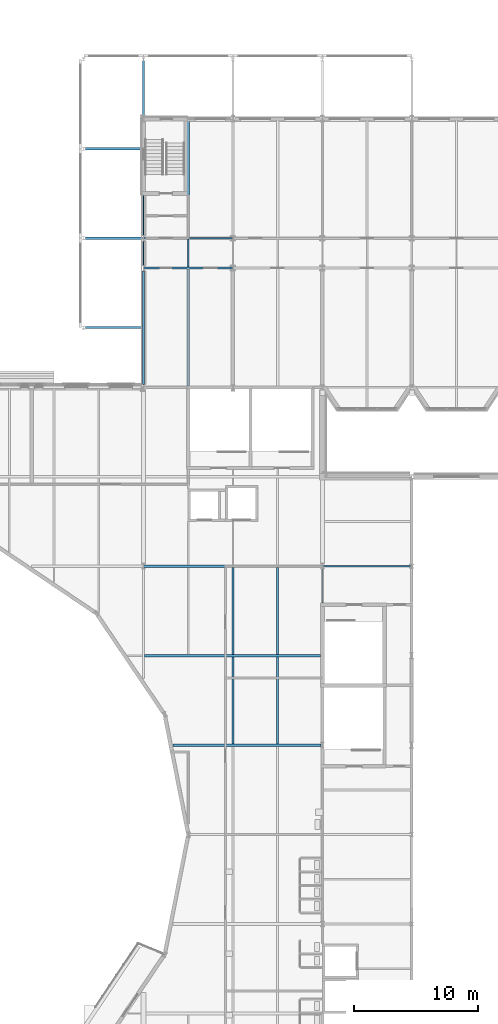
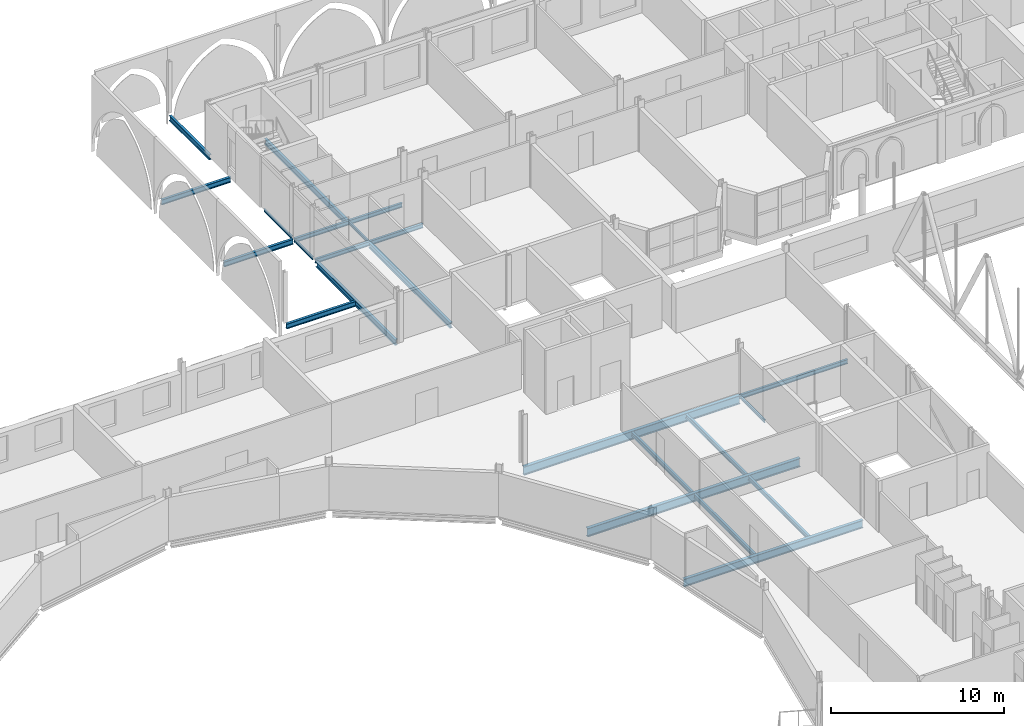
# One storey, part 43 of 142: 21 beams.
"""IFC4 building model written with IfcOpenShell, lengths in metres."""

from ifc_helpers import new_model, si_unit, direction, frame, origin, origin_2d, place, context, subcontext, project, spatial, i_section, extrude, material, material_profile, profile_set, type_object, element, save


model = new_model("IFC4")

# Units and contexts
model_context = context("Model", 3, precision=1e-05, world=origin(), true_north=direction((0.0, 1.0)))
body_context = subcontext(model_context, "Body", "Model", "MODEL_VIEW")
ifc_project = project(units=[si_unit("LENGTHUNIT", "METRE"), si_unit("AREAUNIT", "SQUARE_METRE"), si_unit("VOLUMEUNIT", "CUBIC_METRE"), si_unit("PLANEANGLEUNIT", "RADIAN"), si_unit("MASSUNIT", "GRAM", prefix="KILO")], contexts=[model_context])

# Site, building, storey
site_placement = place(None, origin())
site = spatial("IfcSite", under=ifc_project, at=site_placement, CompositionType="ELEMENT")
building_placement = place(site_placement, origin())
building = spatial("IfcBuilding", under=site, at=building_placement, Name="Kupolbacken Congress Centre", CompositionType="ELEMENT")
storey_placement = place(building_placement, frame((0.0, 0.0, 14.39990234375)))
storey = spatial("IfcBuildingStorey", under=building, at=storey_placement, Name="L04", CompositionType="ELEMENT", Elevation=14.39990234375)

# Beams
ifc_material_1 = material(Name="Steel S355", Category="steel")
ifc_material_profile_1 = material_profile(ifc_material_1, i_section(OverallWidth=0.10009765625, OverallDepth=0.199951171875, WebThickness=0.005615234375, FlangeThickness=0.008544921875, FilletRadius=0.011962890625, at=origin_2d()), Name="IPE 200")
ifc_profile_set_1 = profile_set([ifc_material_profile_1], Name="Steel S355")
beam_type_1 = type_object("IfcBeamType", Name="B01 beam IPE 200", PredefinedType="BEAM", material=ifc_profile_set_1)
beam_1_placement = place(storey_placement, frame((79.199951171875, 105.050048828125, -0.27978515625), z_axis=(0.0, 1.0, 0.0), x_axis=(-1.0, 0.0, 0.0)))
element("IfcBeam", 1, at=beam_1_placement, inside=storey, type_object=beam_type_1, Name="S/floor/P/L04/G036", PredefinedType="BEAM", context=body_context, shape_type="SweptSolid", body=[
    extrude(i_section(OverallWidth=0.10009765625, OverallDepth=0.199951171875, WebThickness=0.005615234375, FlangeThickness=0.008544921875, FilletRadius=0.011962890625, at=origin_2d()), origin(), (0.0, 0.0, 1.0), 2.724853515625),
])
beam_2_placement = place(storey_placement, frame((64.800048828125, 132.22509765625, -0.239990234375), z_axis=(0.0, 1.0, 0.0), x_axis=(-1.0, 0.0, 0.0)))
element("IfcBeam", 2, at=beam_2_placement, inside=storey, type_object=beam_type_1, Name="S/floor/T/L04/S032", PredefinedType="BEAM", context=body_context, shape_type="SweptSolid", body=[
    extrude(i_section(OverallWidth=0.10009765625, OverallDepth=0.199951171875, WebThickness=0.005615234375, FlangeThickness=0.008544921875, FilletRadius=0.011962890625, at=origin_2d()), origin(), (0.0, 0.0, 1.0), 1.949951171875),
])
beam_3_placement = place(storey_placement, frame((64.800048828125, 134.625, -0.239990234375), z_axis=(0.0, 1.0, 0.0), x_axis=(-1.0, 0.0, 0.0)))
element("IfcBeam", 3, at=beam_3_placement, inside=storey, type_object=beam_type_1, Name="S/floor/T/L04/S033", PredefinedType="BEAM", context=body_context, shape_type="SweptSolid", body=[
    extrude(i_section(OverallWidth=0.10009765625, OverallDepth=0.199951171875, WebThickness=0.005615234375, FlangeThickness=0.008544921875, FilletRadius=0.011962890625, at=origin_2d()), origin(), (0.0, 0.0, 1.0), 3.22509765625),
])
beam_4_placement = place(storey_placement, frame((68.39990234375, 132.074951171875, -0.239990234375), z_axis=(0.0, 1.0, 0.0), x_axis=(-1.0, 0.0, 0.0)))
element("IfcBeam", 4, at=beam_4_placement, inside=storey, type_object=beam_type_1, Name="S/floor/T/L04/S035", PredefinedType="BEAM", context=body_context, shape_type="SweptSolid", body=[
    extrude(i_section(OverallWidth=0.10009765625, OverallDepth=0.199951171875, WebThickness=0.005615234375, FlangeThickness=0.008544921875, FilletRadius=0.011962890625, at=origin_2d()), origin(), (0.0, 0.0, 1.0), 2.25),
])
ifc_material_2 = material(Name="Steel S355", Category="steel")
ifc_material_profile_2 = material_profile(ifc_material_2, i_section(OverallWidth=0.14990234375, OverallDepth=0.300048828125, WebThickness=0.007080078125, FlangeThickness=0.0107421875, FilletRadius=0.014892578125, at=origin_2d()), Name="IPE 300")
ifc_profile_set_2 = profile_set([ifc_material_profile_2], Name="Steel S355")
beam_type_2 = type_object("IfcBeamType", Name="B04 beam IPE 300", PredefinedType="BEAM", material=ifc_profile_set_2)
beam_5_placement = place(storey_placement, frame((72.0, 93.705078125, -0.329833984375), z_axis=(0.0, 1.0, 0.0), x_axis=(-1.0, 0.0, 0.0)))
element("IfcBeam", 5, at=beam_5_placement, inside=storey, type_object=beam_type_2, Name="S/floor/P/L04/S146", PredefinedType="BEAM", context=body_context, shape_type="SweptSolid", body=[
    extrude(i_section(OverallWidth=0.14990234375, OverallDepth=0.300048828125, WebThickness=0.007080078125, FlangeThickness=0.0107421875, FilletRadius=0.014892578125, at=origin_2d()), origin(), (0.0, 0.0, 1.0), 6.98486328125),
])
beam_6_placement = place(storey_placement, frame((72.0, 100.909912109375, -0.329833984375), z_axis=(0.0, 1.0, 0.0), x_axis=(-1.0, 0.0, 0.0)))
element("IfcBeam", 6, at=beam_6_placement, inside=storey, type_object=beam_type_2, Name="S/floor/P/L04/S147", PredefinedType="BEAM", context=body_context, shape_type="SweptSolid", body=[
    extrude(i_section(OverallWidth=0.14990234375, OverallDepth=0.300048828125, WebThickness=0.007080078125, FlangeThickness=0.0107421875, FilletRadius=0.014892578125, at=origin_2d()), origin(), (0.0, 0.0, 1.0), 6.97998046875),
])
beam_7_placement = place(storey_placement, frame((75.60009765625, 93.705078125, -0.329833984375), z_axis=(0.0, 1.0, 0.0), x_axis=(-1.0, 0.0, 0.0)))
element("IfcBeam", 7, at=beam_7_placement, inside=storey, type_object=beam_type_2, Name="S/floor/P/L04/S157", PredefinedType="BEAM", context=body_context, shape_type="SweptSolid", body=[
    extrude(i_section(OverallWidth=0.14990234375, OverallDepth=0.300048828125, WebThickness=0.007080078125, FlangeThickness=0.0107421875, FilletRadius=0.014892578125, at=origin_2d()), origin(), (0.0, 0.0, 1.0), 6.98486328125),
])
beam_8_placement = place(storey_placement, frame((75.60009765625, 100.909912109375, -0.329833984375), z_axis=(0.0, 1.0, 0.0), x_axis=(-1.0, 0.0, 0.0)))
element("IfcBeam", 8, at=beam_8_placement, inside=storey, type_object=beam_type_2, Name="S/floor/P/L04/S158", PredefinedType="BEAM", context=body_context, shape_type="SweptSolid", body=[
    extrude(i_section(OverallWidth=0.14990234375, OverallDepth=0.300048828125, WebThickness=0.007080078125, FlangeThickness=0.0107421875, FilletRadius=0.014892578125, at=origin_2d()), origin(), (0.0, 0.0, 1.0), 6.97998046875),
])
beam_9_placement = place(storey_placement, frame((79.20703125, 108.0, -0.329833984375), z_axis=(1.0, 0.0, 0.0), x_axis=(0.0, 1.0, 0.0)))
element("IfcBeam", 9, at=beam_9_placement, inside=storey, type_object=beam_type_2, Name="S/floor/LINK/L04/R020", PredefinedType="BEAM", context=body_context, shape_type="SweptSolid", body=[
    extrude(i_section(OverallWidth=0.14990234375, OverallDepth=0.300048828125, WebThickness=0.007080078125, FlangeThickness=0.0107421875, FilletRadius=0.014892578125, at=origin_2d()), origin(), (0.0, 0.0, 1.0), 7.188720703125),
])
for number, where, z_axis, x_axis, name in (
    (10, (64.806884765625, 132.0, -0.289794921875), (1.0, 0.0, 0.0), (0.0, 1.0, 0.0), "S/floor/T/L04/R007"),
    (11, (64.806884765625, 134.39990234375, -0.289794921875), (1.0, 0.0, 0.0), (0.0, 1.0, 0.0), "S/floor/T/L04/R015"),
):
    element("IfcBeam", number, at=place(storey_placement, frame(where, z_axis=z_axis, x_axis=x_axis)), inside=storey, type_object=beam_type_2, Name=name, PredefinedType="BEAM", context=body_context, shape_type="SweptSolid", body=[
        extrude(i_section(OverallWidth=0.14990234375, OverallDepth=0.300048828125, WebThickness=0.007080078125, FlangeThickness=0.0107421875, FilletRadius=0.014892578125, at=origin_2d()), origin(), (0.0, 0.0, 1.0), 7.1767578125),
    ])
ifc_material_3 = material(Name="Steel S355", Category="steel")
ifc_material_profile_3 = material_profile(ifc_material_3, i_section(OverallWidth=0.169921875, OverallDepth=0.360107421875, WebThickness=0.008056640625, FlangeThickness=0.0126953125, FilletRadius=0.01806640625, at=origin_2d()), Name="IPE 360")
ifc_profile_set_3 = profile_set([ifc_material_profile_3], Name="Steel S355")
beam_type_3 = type_object("IfcBeamType", Name="B06 beam IPE 360", PredefinedType="BEAM", material=ifc_profile_set_3)
beam_10_placement = place(storey_placement, frame((64.800048828125, 144.080078125, -0.31982421875), z_axis=(0.0, 1.0, 0.0), x_axis=(-1.0, 0.0, 0.0)))
element("IfcBeam", 12, at=beam_10_placement, inside=storey, type_object=beam_type_3, Name="E/T/portal/N/tie64.8/L04", PredefinedType="BEAM", context=body_context, shape_type="SweptSolid", body=[
    extrude(i_section(OverallWidth=0.169921875, OverallDepth=0.360107421875, WebThickness=0.008056640625, FlangeThickness=0.0126953125, FilletRadius=0.01806640625, at=origin_2d()), origin(), (0.0, 0.0, 1.0), 4.60986328125),
])
for number, where, z_axis, x_axis, name in (
    (13, (64.719970703125, 127.199951171875, -0.31982421875), (-1.0, 0.0, 0.0), (0.0, -1.0, 0.0), "E/T/portal/W/tie127.2/L04"),
    (14, (64.719970703125, 134.39990234375, -0.31982421875), (-1.0, 0.0, 0.0), (0.0, -1.0, 0.0), "E/T/portal/W/tie134.4/L04"),
    (15, (64.719970703125, 141.60009765625, -0.31982421875), (-1.0, 0.0, 0.0), (0.0, -1.0, 0.0), "E/T/portal/W/tie141.6/L04"),
):
    element("IfcBeam", number, at=place(storey_placement, frame(where, z_axis=z_axis, x_axis=x_axis)), inside=storey, type_object=beam_type_3, Name=name, PredefinedType="BEAM", context=body_context, shape_type="SweptSolid", body=[
        extrude(i_section(OverallWidth=0.169921875, OverallDepth=0.360107421875, WebThickness=0.008056640625, FlangeThickness=0.0126953125, FilletRadius=0.01806640625, at=origin_2d()), origin(), (0.0, 0.0, 1.0), 4.60498046875),
    ])
ifc_material_4 = material(Name="Steel S355", Category="steel")
ifc_material_profile_4 = material_profile(ifc_material_4, i_section(OverallWidth=0.179931640625, OverallDepth=0.39990234375, WebThickness=0.008544921875, FlangeThickness=0.013427734375, FilletRadius=0.02099609375, at=origin_2d()), Name="IPE 400")
ifc_profile_set_4 = profile_set([ifc_material_profile_4], Name="Steel S355")
beam_type_4 = type_object("IfcBeamType", Name="B07 beam IPE 400", PredefinedType="BEAM", material=ifc_profile_set_4)
beam_11_placement = place(storey_placement, frame((64.800048828125, 122.625, -0.33984375), z_axis=(0.0, 1.0, 0.0), x_axis=(-1.0, 0.0, 0.0)))
element("IfcBeam", 16, at=beam_11_placement, inside=storey, type_object=beam_type_4, Name="S/floor/T/L04/S031", PredefinedType="BEAM", context=body_context, shape_type="SweptSolid", body=[
    extrude(i_section(OverallWidth=0.179931640625, OverallDepth=0.39990234375, WebThickness=0.008544921875, FlangeThickness=0.013427734375, FilletRadius=0.02099609375, at=origin_2d()), origin(), (0.0, 0.0, 1.0), 9.14990234375),
])
beam_12_placement = place(storey_placement, frame((68.39990234375, 122.52490234375, -0.33984375), z_axis=(0.0, 1.0, 0.0), x_axis=(-1.0, 0.0, 0.0)))
element("IfcBeam", 17, at=beam_12_placement, inside=storey, type_object=beam_type_4, Name="S/floor/T/L04/S034", PredefinedType="BEAM", context=body_context, shape_type="SweptSolid", body=[
    extrude(i_section(OverallWidth=0.179931640625, OverallDepth=0.39990234375, WebThickness=0.008544921875, FlangeThickness=0.013427734375, FilletRadius=0.02099609375, at=origin_2d()), origin(), (0.0, 0.0, 1.0), 9.400146484375),
])
beam_13_placement = place(storey_placement, frame((68.39990234375, 134.47509765625, -0.33984375), z_axis=(0.0, 1.0, 0.0), x_axis=(-1.0, 0.0, 0.0)))
element("IfcBeam", 18, at=beam_13_placement, inside=storey, type_object=beam_type_4, Name="S/floor/T/L04/S036", PredefinedType="BEAM", context=body_context, shape_type="SweptSolid", body=[
    extrude(i_section(OverallWidth=0.179931640625, OverallDepth=0.39990234375, WebThickness=0.008544921875, FlangeThickness=0.013427734375, FilletRadius=0.02099609375, at=origin_2d()), origin(), (0.0, 0.0, 1.0), 9.474853515625),
])
ifc_material_5 = material(Name="Steel S355", Category="steel")
ifc_material_profile_5 = material_profile(ifc_material_5, i_section(OverallWidth=0.2099609375, OverallDepth=0.550048828125, WebThickness=0.010986328125, FlangeThickness=0.01708984375, FilletRadius=0.02392578125, at=origin_2d()), Name="IPE 550")
ifc_profile_set_5 = profile_set([ifc_material_profile_5], Name="Steel S355")
beam_type_5 = type_object("IfcBeamType", Name="B10 beam IPE 550", PredefinedType="BEAM", material=ifc_profile_set_5)
beam_14_placement = place(storey_placement, frame((67.156005859375, 93.60009765625, -0.454833984375), z_axis=(1.0, 0.0, 0.0), x_axis=(0.0, 1.0, 0.0)))
element("IfcBeam", 19, at=beam_14_placement, inside=storey, type_object=beam_type_5, Name="S/floor/P/L04/R056", PredefinedType="BEAM", context=body_context, shape_type="SweptSolid", body=[
    extrude(i_section(OverallWidth=0.2099609375, OverallDepth=0.550048828125, WebThickness=0.010986328125, FlangeThickness=0.01708984375, FilletRadius=0.02392578125, at=origin_2d()), origin(), (0.0, 0.0, 1.0), 11.9189453125),
])
ifc_material_6 = material(Name="Steel S355", Category="steel")
ifc_material_profile_6 = material_profile(ifc_material_6, i_section(OverallWidth=0.219970703125, OverallDepth=0.60009765625, WebThickness=0.011962890625, FlangeThickness=0.01904296875, FilletRadius=0.02392578125, at=origin_2d()), Name="IPE 600")
ifc_profile_set_6 = profile_set([ifc_material_profile_6], Name="Steel S355")
beam_type_6 = type_object("IfcBeamType", Name="B11 beam IPE 600", PredefinedType="BEAM", material=ifc_profile_set_6)
beam_15_placement = place(storey_placement, frame((64.889892578125, 100.800048828125, -0.47998046875), z_axis=(1.0, 0.0, 0.0), x_axis=(0.0, 1.0, 0.0)))
element("IfcBeam", 20, at=beam_15_placement, inside=storey, type_object=beam_type_6, Name="S/floor/P/L04/R060", PredefinedType="BEAM", context=body_context, shape_type="SweptSolid", body=[
    extrude(i_section(OverallWidth=0.219970703125, OverallDepth=0.60009765625, WebThickness=0.011962890625, FlangeThickness=0.01904296875, FilletRadius=0.02392578125, at=origin_2d()), origin(), (0.0, 0.0, 1.0), 14.16015625),
])
beam_16_placement = place(storey_placement, frame((64.806884765625, 108.0, -0.47998046875), z_axis=(1.0, 0.0, 0.0), x_axis=(0.0, 1.0, 0.0)))
element("IfcBeam", 21, at=beam_16_placement, inside=storey, type_object=beam_type_6, Name="S/floor/P/L04/R064", PredefinedType="BEAM", context=body_context, shape_type="SweptSolid", body=[
    extrude(i_section(OverallWidth=0.219970703125, OverallDepth=0.60009765625, WebThickness=0.011962890625, FlangeThickness=0.01904296875, FilletRadius=0.02392578125, at=origin_2d()), origin(), (0.0, 0.0, 1.0), 14.38623046875),
])

save(model, "model.ifc")
